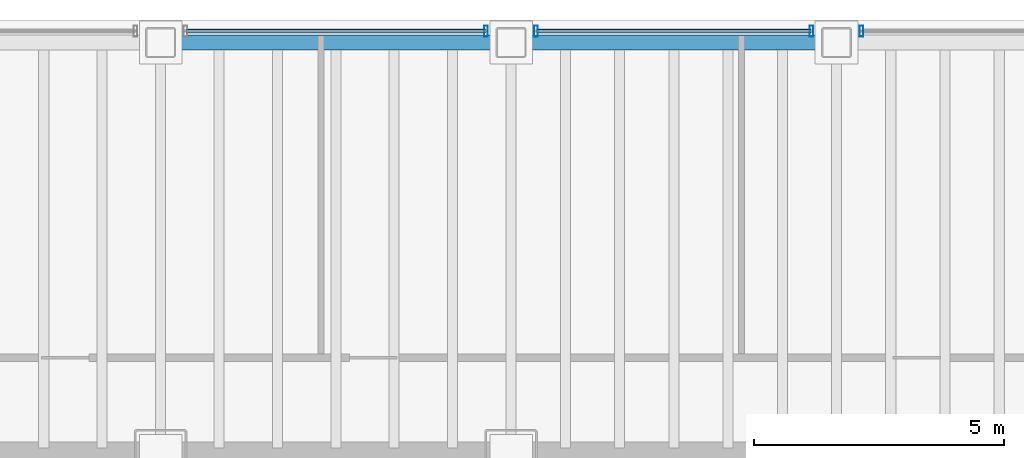
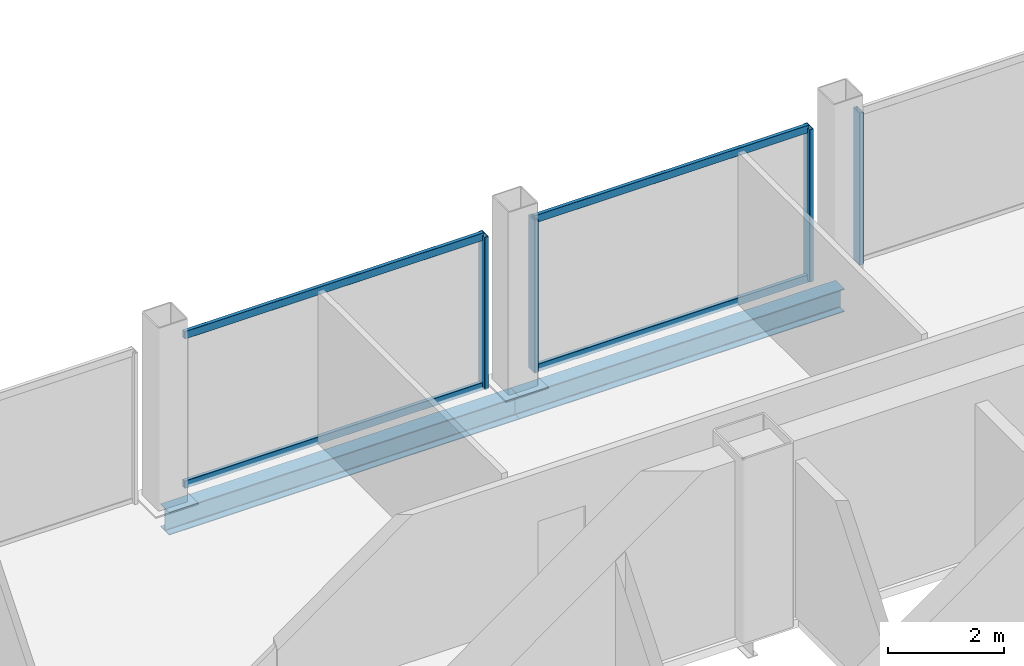
# One storey, part 14 of 20: 8 members, 2 beams, 3 elements without a shape of their own.
"""IFC4 building model written with IfcOpenShell, lengths in metres."""

from ifc_helpers import new_model, si_unit, direction, frame, origin, origin_2d, place, context, subcontext, project, spatial, hollow_rectangle, i_section, extrude, material, material_profile, profile_set, type_object, element, aggregate, save


model = new_model("IFC4")

# Units and contexts
model_context = context("Model", 3, precision=1e-05, world=origin(), true_north=direction((0.0, 1.0)))
body_context = subcontext(model_context, "Body", "Model", "MODEL_VIEW")
ifc_project = project(units=[si_unit("LENGTHUNIT", "METRE"), si_unit("AREAUNIT", "SQUARE_METRE"), si_unit("VOLUMEUNIT", "CUBIC_METRE"), si_unit("PLANEANGLEUNIT", "RADIAN"), si_unit("MASSUNIT", "GRAM", prefix="KILO")], contexts=[model_context])

# Site, building, storey
site_placement = place(None, origin())
site = spatial("IfcSite", under=ifc_project, at=site_placement, CompositionType="ELEMENT")
building_placement = place(site_placement, origin())
building = spatial("IfcBuilding", under=site, at=building_placement, Name="Noeulbin Bourse Tower", CompositionType="ELEMENT")
storey_placement = place(building_placement, frame((0.0, 0.0, 57.699951171875)))
storey = spatial("IfcBuildingStorey", under=building, at=storey_placement, Name="L14", CompositionType="ELEMENT", Elevation=57.699951171875)

# Beams
ifc_material_1 = material(Name="Steel S355", Category="steel")
ifc_material_profile_1 = material_profile(ifc_material_1, i_section(OverallWidth=0.300048828125, OverallDepth=0.488037109375, WebThickness=0.010986328125, FlangeThickness=0.01806640625, FilletRadius=0.02197265625, at=origin_2d()), Name="H-488x300x11x18", Category="LoadBearing")
ifc_profile_set_1 = profile_set([ifc_material_profile_1], Name="Steel S355")
beam_type = type_object("IfcBeamType", Name="BM-SPN-488", PredefinedType="SPANDREL", material=ifc_profile_set_1)
beam_1_placement = place(storey_placement, frame((24.0, 46.550048828125, -0.424072265625), z_axis=(1.0, 0.0, 0.0), x_axis=(0.0, 1.0, 0.0)))
element("IfcBeam", 1, at=beam_1_placement, inside=storey, type_object=beam_type, Name="North Spandrel L14-2", PredefinedType="SPANDREL", context=body_context, shape_type="SweptSolid", body=[
    extrude(i_section(OverallWidth=0.300048828125, OverallDepth=0.488037109375, WebThickness=0.010986328125, FlangeThickness=0.01806640625, FilletRadius=0.02197265625, at=origin_2d()), origin(), (0.0, 0.0, 1.0), 7.0),
])
beam_2_placement = place(storey_placement, frame((31.0, 46.550048828125, -0.424072265625), z_axis=(1.0, 0.0, 0.0), x_axis=(0.0, 1.0, 0.0)))
element("IfcBeam", 2, at=beam_2_placement, inside=storey, type_object=beam_type, Name="North Spandrel L14-3", PredefinedType="SPANDREL", context=body_context, shape_type="SweptSolid", body=[
    extrude(i_section(OverallWidth=0.300048828125, OverallDepth=0.488037109375, WebThickness=0.010986328125, FlangeThickness=0.01806640625, FilletRadius=0.02197265625, at=origin_2d()), origin(), (0.0, 0.0, 1.0), 6.5),
])

# Curtain wall, member
ifc_material_2 = material(Name="Dark Solar-Control Double Glazing", Category="glass")
curtain_wall_type = type_object("IfcCurtainWallType", Name="CW-SYS-2", PredefinedType="NOTDEFINED", material=ifc_material_2)
curtain_wall_1_placement = place(storey_placement, origin())
curtain_wall_1 = element("IfcCurtainWall", 3, at=curtain_wall_1_placement, inside=storey, type_object=curtain_wall_type, Name="Unitised Curtain Wall CW-L14-N-S3", PredefinedType="NOTDEFINED")
ifc_material_3 = material(Name="Anodised Aluminium 6063-T6", Category="aluminium")
ifc_material_profile_2 = material_profile(ifc_material_3, hollow_rectangle(XDim=0.074951171875, YDim=0.219970703125, WallThickness=0.0048828125, InnerFilletRadius=0.00244140625, OuterFilletRadius=0.0048828125, at=origin_2d()), Name="ALU-MULL-75x220x5", Category="LoadBearing")
ifc_profile_set_2 = profile_set([ifc_material_profile_2], Name="Anodised Aluminium 6063-T6")
member_type_1 = type_object("IfcMemberType", Name="CW-SYS-2-MUL", PredefinedType="MULLION", material=ifc_profile_set_2)
member_1_placement = place(storey_placement, frame((30.5, 46.780029296875, -0.02001953125), z_axis=(0.0, 0.0, 1.0), x_axis=(1.0, 0.0, 0.0)))
member_1 = element("IfcMember", 4, at=member_1_placement, type_object=member_type_1, Name="Curtain Wall Mullion CW-L14-N-S3-M01", PredefinedType="MULLION", context=body_context, shape_type="SweptSolid", body=[
    extrude(hollow_rectangle(XDim=0.074951171875, YDim=0.219970703125, WallThickness=0.0048828125, InnerFilletRadius=0.00244140625, OuterFilletRadius=0.0048828125, at=origin_2d()), origin(), (0.0, 0.0, 1.0), 3.219970703125),
])

# Curtain wall, members
curtain_wall_2_placement = place(storey_placement, origin())
curtain_wall_2 = element("IfcCurtainWall", 5, at=curtain_wall_2_placement, inside=storey, type_object=curtain_wall_type, Name="Unitised Curtain Wall CW-L14-N-S4", PredefinedType="NOTDEFINED")
member_2_placement = place(storey_placement, frame((31.5, 46.780029296875, -0.02001953125), z_axis=(0.0, 0.0, 1.0), x_axis=(1.0, 0.0, 0.0)))
member_2 = element("IfcMember", 6, at=member_2_placement, type_object=member_type_1, Name="Curtain Wall Mullion CW-L14-N-S4-M00", PredefinedType="MULLION", context=body_context, shape_type="SweptSolid", body=[
    extrude(hollow_rectangle(XDim=0.074951171875, YDim=0.219970703125, WallThickness=0.0048828125, InnerFilletRadius=0.00244140625, OuterFilletRadius=0.0048828125, at=origin_2d()), origin(), (0.0, 0.0, 1.0), 3.219970703125),
])
member_3_placement = place(storey_placement, frame((37.0, 46.780029296875, -0.02001953125), z_axis=(0.0, 0.0, 1.0), x_axis=(1.0, 0.0, 0.0)))
member_3 = element("IfcMember", 7, at=member_3_placement, type_object=member_type_1, Name="Curtain Wall Mullion CW-L14-N-S4-M01", PredefinedType="MULLION", context=body_context, shape_type="SweptSolid", body=[
    extrude(hollow_rectangle(XDim=0.074951171875, YDim=0.219970703125, WallThickness=0.0048828125, InnerFilletRadius=0.00244140625, OuterFilletRadius=0.0048828125, at=origin_2d()), origin(), (0.0, 0.0, 1.0), 3.219970703125),
])

# Curtain wall, member
curtain_wall_3_placement = place(storey_placement, origin())
curtain_wall_3 = element("IfcCurtainWall", 8, at=curtain_wall_3_placement, inside=storey, type_object=curtain_wall_type, Name="Unitised Curtain Wall CW-L14-N-S5", PredefinedType="NOTDEFINED")
member_4_placement = place(storey_placement, frame((38.0, 46.780029296875, -0.02001953125), z_axis=(0.0, 0.0, 1.0), x_axis=(1.0, 0.0, 0.0)))
member_4 = element("IfcMember", 9, at=member_4_placement, type_object=member_type_1, Name="Curtain Wall Mullion CW-L14-N-S5-M00", PredefinedType="MULLION", context=body_context, shape_type="SweptSolid", body=[
    extrude(hollow_rectangle(XDim=0.074951171875, YDim=0.219970703125, WallThickness=0.0048828125, InnerFilletRadius=0.00244140625, OuterFilletRadius=0.0048828125, at=origin_2d()), origin(), (0.0, 0.0, 1.0), 3.219970703125),
])
aggregate(curtain_wall_3, [member_4])

# Member
ifc_material_profile_3 = material_profile(ifc_material_3, hollow_rectangle(XDim=0.074951171875, YDim=0.159912109375, WallThickness=0.0048828125, InnerFilletRadius=0.00244140625, OuterFilletRadius=0.0048828125, at=origin_2d()), Name="ALU-TRAN-75x160x5", Category="LoadBearing")
ifc_profile_set_3 = profile_set([ifc_material_profile_3], Name="Anodised Aluminium 6063-T6")
member_type_2 = type_object("IfcMemberType", Name="CW-SYS-2-TRN", PredefinedType="USERDEFINED", material=ifc_profile_set_3)
member_5_placement = place(storey_placement, frame((24.510009765625, 46.780029296875, 0.010009765625), z_axis=(1.0, 0.0, 0.0), x_axis=(0.0, 1.0, 0.0)))
member_5 = element("IfcMember", 10, at=member_5_placement, type_object=member_type_2, Name="Curtain Wall Transom CW-L14-N-S3-T00", ObjectType="TRANSOM", PredefinedType="USERDEFINED", context=body_context, shape_type="SweptSolid", body=[
    extrude(hollow_rectangle(XDim=0.074951171875, YDim=0.159912109375, WallThickness=0.0048828125, InnerFilletRadius=0.00244140625, OuterFilletRadius=0.0048828125, at=origin_2d()), origin(), (0.0, 0.0, 1.0), 5.97998046875),
])

member_6_placement = place(storey_placement, frame((24.510009765625, 46.780029296875, 3.170166015625), z_axis=(1.0, 0.0, 0.0), x_axis=(0.0, 1.0, 0.0)))
member_6 = element("IfcMember", 11, at=member_6_placement, type_object=member_type_2, Name="Curtain Wall Transom CW-L14-N-S3-T01", ObjectType="TRANSOM", PredefinedType="USERDEFINED", context=body_context, shape_type="SweptSolid", body=[
    extrude(hollow_rectangle(XDim=0.074951171875, YDim=0.159912109375, WallThickness=0.0048828125, InnerFilletRadius=0.00244140625, OuterFilletRadius=0.0048828125, at=origin_2d()), origin(), (0.0, 0.0, 1.0), 5.97998046875),
])

aggregate(curtain_wall_1, [member_1, member_5, member_6])

member_7_placement = place(storey_placement, frame((31.510009765625, 46.780029296875, 0.010009765625), z_axis=(1.0, 0.0, 0.0), x_axis=(0.0, 1.0, 0.0)))
member_7 = element("IfcMember", 12, at=member_7_placement, type_object=member_type_2, Name="Curtain Wall Transom CW-L14-N-S4-T00", ObjectType="TRANSOM", PredefinedType="USERDEFINED", context=body_context, shape_type="SweptSolid", body=[
    extrude(hollow_rectangle(XDim=0.074951171875, YDim=0.159912109375, WallThickness=0.0048828125, InnerFilletRadius=0.00244140625, OuterFilletRadius=0.0048828125, at=origin_2d()), origin(), (0.0, 0.0, 1.0), 5.47998046875),
])

member_8_placement = place(storey_placement, frame((31.510009765625, 46.780029296875, 3.170166015625), z_axis=(1.0, 0.0, 0.0), x_axis=(0.0, 1.0, 0.0)))
member_8 = element("IfcMember", 13, at=member_8_placement, type_object=member_type_2, Name="Curtain Wall Transom CW-L14-N-S4-T01", ObjectType="TRANSOM", PredefinedType="USERDEFINED", context=body_context, shape_type="SweptSolid", body=[
    extrude(hollow_rectangle(XDim=0.074951171875, YDim=0.159912109375, WallThickness=0.0048828125, InnerFilletRadius=0.00244140625, OuterFilletRadius=0.0048828125, at=origin_2d()), origin(), (0.0, 0.0, 1.0), 5.47998046875),
])

aggregate(curtain_wall_2, [member_2, member_3, member_7, member_8])

save(model, "model.ifc")
